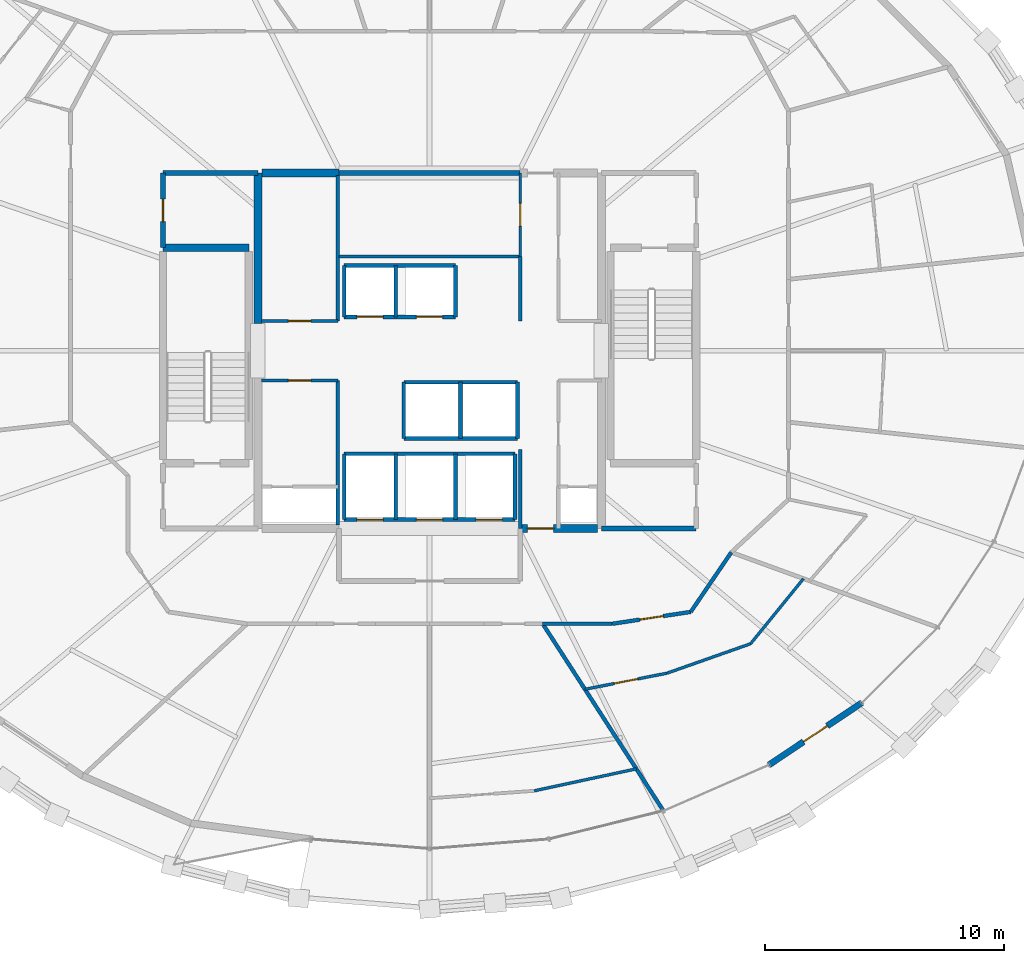
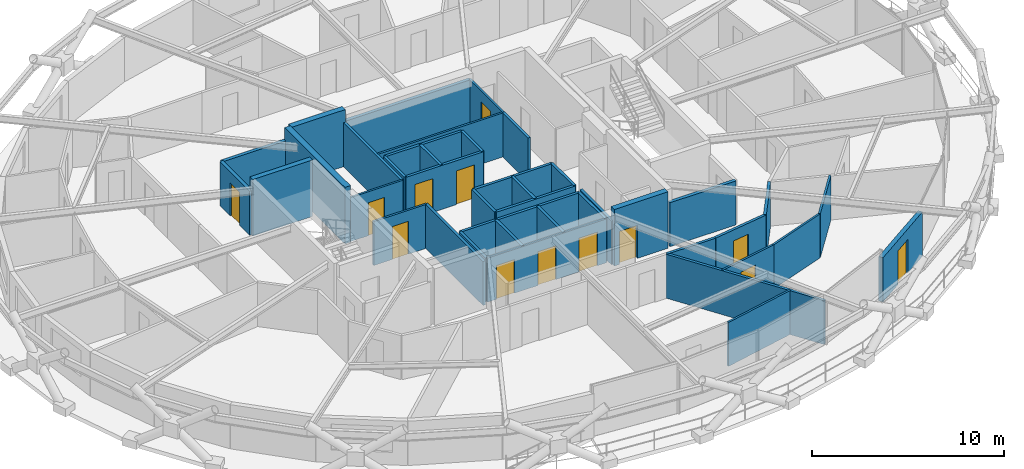
# One storey, part 15 of 19: 41 walls, 13 doors, 13 openings.
"""IFC4 building model written with IfcOpenShell, lengths in metres."""

from ifc_helpers import new_model, si_unit, direction, frame, frame_2d, origin, place, context, subcontext, project, spatial, rectangle, extrude, material, layer, layer_set, type_object, element, fill, save


model = new_model("IFC4")

# Units and contexts
model_context = context("Model", 3, precision=1e-05, world=origin(), true_north=direction((0.0, 1.0)))
body_context = subcontext(model_context, "Body", "Model", "MODEL_VIEW")
ifc_project = project(units=[si_unit("LENGTHUNIT", "METRE"), si_unit("AREAUNIT", "SQUARE_METRE"), si_unit("VOLUMEUNIT", "CUBIC_METRE"), si_unit("PLANEANGLEUNIT", "RADIAN"), si_unit("MASSUNIT", "GRAM", prefix="KILO")], contexts=[model_context])

# Site, building, storey
site_placement = place(None, origin())
site = spatial("IfcSite", under=ifc_project, at=site_placement, CompositionType="ELEMENT")
building_placement = place(site_placement, origin())
building = spatial("IfcBuilding", under=site, at=building_placement, Name="Veldorina Hangang Commons", CompositionType="ELEMENT")
storey_placement = place(building_placement, frame((0.0, 0.0, 164.0)))
storey = spatial("IfcBuildingStorey", under=building, at=storey_placement, Name="L42", CompositionType="ELEMENT", Elevation=164.0)

# Wall
ifc_material_1 = material(Name="Concrete C60/75", Category="concrete")
ifc_layer_1 = layer(ifc_material_1, 0.340087890625)
ifc_layer_set_1 = layer_set([ifc_layer_1], Name="Concrete C60/75")
wall_type_1 = type_object("IfcWallType", Name="CW-RC340-C60", PredefinedType="SHEAR", material=ifc_layer_set_1)
wall_1_placement = place(storey_placement, frame((24.800048828125, 25.14990234375, 0.0), z_axis=(0.0, 0.0, 1.0), x_axis=(0.0, 1.0, 0.0)))
element("IfcWall", 1, at=wall_1_placement, inside=storey, type_object=wall_type_1, Name="L42 W north core shear wall", PredefinedType="SHEAR", context=body_context, shape_type="SweptSolid", body=[
    extrude(rectangle(XDim=6.300048828125, YDim=0.340087890625, at=frame_2d((3.14990234375, 0.0))), origin(), (0.0, 0.0, 1.0), 3.60009765625),
])

# Wall, opening, door
wall_2_placement = place(storey_placement, frame((35.800048828125, 16.550048828125, 0.0), z_axis=(0.0, 0.0, 1.0), x_axis=(1.0, 0.0, 0.0)))
wall_2 = element("IfcWall", 2, at=wall_2_placement, inside=storey, type_object=wall_type_1, Name="L42 south-east core shear wall", PredefinedType="SHEAR", context=body_context, shape_type="SweptSolid", body=[
    extrude(rectangle(XDim=3.22998046875, YDim=0.340087890625, at=frame_2d((1.614990234375, 0.0))), origin(), (0.0, 0.0, 1.0), 3.60009765625),
])
opening_1_placement = place(wall_2_placement, frame((0.300048828125, 0.0, 0.0)))
opening_1 = element("IfcOpeningElement", 3, at=opening_1_placement, cuts=wall_2, Name="Opening D-08", PredefinedType="OPENING", context=body_context, shape_type="SweptSolid", body=[
    extrude(rectangle(XDim=1.10009765625, YDim=2.10009765625, at=frame_2d((0.550048828125, 1.050048828125))), frame((0.0, 0.18017578125, 0.0), z_axis=(0.0, -1.0, 0.0), x_axis=(1.0, 0.0, 0.0)), (0.0, 0.0, 1.0), 0.360107421875),
])
ifc_material_2 = material(Name="Steel Fire-Rated Smoke Seal", Category="steel")
door_type_1 = type_object("IfcDoorType", Name="DR-FIRE-1100", OperationType="SINGLE_SWING_RIGHT", PredefinedType="DOOR", material=ifc_material_2)
door_1_placement = place(opening_1_placement, origin())
door_1 = element("IfcDoor", 4, at=door_1_placement, inside=storey, type_object=door_type_1, Name="L42 central lift lobby south corridor door", OperationType="SINGLE_SWING_RIGHT", OverallHeight=2.10009765625, OverallWidth=1.10009765625, PredefinedType="DOOR", context=body_context, shape_type="SweptSolid", body=[
    extrude(rectangle(XDim=1.10009765625, YDim=2.10009765625, at=frame_2d((0.550048828125, 1.050048828125))), frame((0.0, 0.02490234375, 0.0), z_axis=(0.0, -1.0, 0.0), x_axis=(1.0, 0.0, 0.0)), (0.0, 0.0, 1.0), 0.050048828125),
])
fill(opening_1, door_1)

# Wall
wall_3_placement = place(storey_placement, frame((24.969970703125, 31.449951171875, 0.0), z_axis=(0.0, 0.0, 1.0), x_axis=(1.0, 0.0, 0.0)))
element("IfcWall", 5, at=wall_3_placement, inside=storey, type_object=wall_type_1, Name="L42 north-west core shear wall", PredefinedType="SHEAR", context=body_context, shape_type="SweptSolid", body=[
    extrude(rectangle(XDim=3.22998046875, YDim=0.340087890625, at=frame_2d((1.614990234375, 0.0))), origin(), (0.0, 0.0, 1.0), 3.60009765625),
])

# Wall, opening, door
ifc_material_3 = material(Name="Stone Roman Travertine", Category="masonry")
ifc_layer_2 = layer(ifc_material_3, 0.260009765625)
ifc_layer_set_2 = layer_set([ifc_layer_2], Name="Stone Roman Travertine")
wall_type_2 = type_object("IfcWallType", Name="EW-LOGGIA-260", PredefinedType="STANDARD", material=ifc_layer_set_2)
wall_4_placement = place(storey_placement, frame((46.23486328125, 6.639404296875, 0.0), z_axis=(0.0, 0.0, 1.0), x_axis=(0.831245321174, 0.555905761821, 0.0)))
wall_4 = element("IfcWall", 6, at=wall_4_placement, inside=storey, type_object=wall_type_2, Name="L42 sky-garden loggia portal wall 27", PredefinedType="STANDARD", context=body_context, shape_type="SweptSolid", body=[
    extrude(rectangle(XDim=4.671142578125, YDim=0.260009765625, at=frame_2d((2.33544921875, 0.0))), origin(), (0.0, 0.0, 1.0), 2.820068359375),
])
opening_2_placement = place(wall_4_placement, frame((1.735595703125, 0.0, 0.0)))
opening_2 = element("IfcOpeningElement", 7, at=opening_2_placement, cuts=wall_4, Name="Opening BD-1200", PredefinedType="OPENING", context=body_context, shape_type="SweptSolid", body=[
    extrude(rectangle(XDim=1.199951171875, YDim=2.14990234375, at=frame_2d((0.60009765625, 1.074951171875))), frame((0.0, 0.14013671875, 0.0), z_axis=(0.0, -1.0, 0.0), x_axis=(1.0, 0.0, 0.0)), (0.0, 0.0, 1.0), 0.280029296875),
])
ifc_material_4 = material(Name="Glass Thermal Aluminium Frame", Category="aluminium")
door_type_2 = type_object("IfcDoorType", Name="DR-EXT-LOG1200", OperationType="SINGLE_SWING_LEFT", PredefinedType="DOOR", material=ifc_material_4)
door_2_placement = place(opening_2_placement, origin())
door_2 = element("IfcDoor", 8, at=door_2_placement, inside=storey, type_object=door_type_2, Name="L42 loggia glazed exterior door 27", OperationType="SINGLE_SWING_RIGHT", OverallHeight=2.14990234375, OverallWidth=1.199951171875, PredefinedType="DOOR", context=body_context, shape_type="SweptSolid", body=[
    extrude(rectangle(XDim=1.199951171875, YDim=2.14990234375, at=frame_2d((0.60009765625, 1.074951171875))), frame((0.0, 0.02490234375, 0.0), z_axis=(0.0, -1.0, 0.0), x_axis=(1.0, 0.0, 0.0)), (0.0, 0.0, 1.0), 0.050048828125),
])
fill(opening_2, door_2)

# Walls
ifc_material_5 = material(Name="Concrete C50/60", Category="concrete")
ifc_layer_3 = layer(ifc_material_5, 0.300048828125)
ifc_layer_set_3 = layer_set([ifc_layer_3], Name="Concrete C50/60")
wall_type_3 = type_object("IfcWallType", Name="SW-STAIR-300", PredefinedType="SHEAR", material=ifc_layer_set_3)
wall_5_placement = place(storey_placement, frame((20.820068359375, 28.320068359375, 0.0), z_axis=(0.0, 0.0, 1.0), x_axis=(1.0, 0.0, 0.0)))
element("IfcWall", 9, at=wall_5_placement, inside=storey, type_object=wall_type_3, Name="L42 ST1 north stair shear wall", PredefinedType="SHEAR", context=body_context, shape_type="SweptSolid", body=[
    extrude(rectangle(XDim=3.599853515625, YDim=0.300048828125, at=frame_2d((1.7998046875, 0.0))), origin(), (0.0, 0.0, 1.0), 3.60009765625),
])
ifc_material_6 = material(Name="Gypsum Fire-Rated Twin Stud Wall", Category="gypsum")
ifc_layer_4 = layer(ifc_material_6, 0.159912109375)
ifc_layer_set_4 = layer_set([ifc_layer_4], Name="Gypsum Fire-Rated Twin Stud Wall")
wall_type_4 = type_object("IfcWallType", Name="WL-FIRE-160", PredefinedType="SOLIDWALL", material=ifc_layer_set_4)
wall_6_placement = place(storey_placement, frame((35.800048828125, 16.550048828125, 0.0), z_axis=(0.0, 0.0, 1.0), x_axis=(0.0, 1.0, 0.0)))
element("IfcWall", 10, at=wall_6_placement, inside=storey, type_object=wall_type_4, Name="L42 Lift passage SW wall 009", PredefinedType="SOLIDWALL", context=body_context, shape_type="SweptSolid", body=[
    extrude(rectangle(XDim=3.300048828125, YDim=0.159912109375, at=frame_2d((1.64990234375, 0.0))), origin(), (0.0, 0.0, 1.0), 2.800048828125),
])
wall_7_placement = place(storey_placement, frame((35.800048828125, 25.25, 0.0), z_axis=(0.0, 0.0, 1.0), x_axis=(0.0, 1.0, 0.0)))
element("IfcWall", 11, at=wall_7_placement, inside=storey, type_object=wall_type_4, Name="L42 Lift passage NW lower wall 011", PredefinedType="SOLIDWALL", context=body_context, shape_type="SweptSolid", body=[
    extrude(rectangle(XDim=2.699951171875, YDim=0.159912109375, at=frame_2d((1.35009765625, 0.0))), origin(), (0.0, 0.0, 1.0), 2.800048828125),
])

# Wall, openings, doors
wall_8_placement = place(storey_placement, frame((28.419921875, 25.419921875, 0.0), z_axis=(0.0, 0.0, 1.0), x_axis=(1.0, 0.0, 0.0)))
wall_8 = element("IfcWall", 12, at=wall_8_placement, inside=storey, type_object=wall_type_4, Name="L42 Mid-high front shaft wall 015", PredefinedType="SOLIDWALL", context=body_context, shape_type="SweptSolid", body=[
    extrude(rectangle(XDim=4.66015625, YDim=0.159912109375, at=frame_2d((2.330078125, 0.0))), origin(), (0.0, 0.0, 1.0), 2.800048828125),
])
opening_3_placement = place(wall_8_placement, frame((0.530029296875, 0.0, 0.0)))
opening_3 = element("IfcOpeningElement", 13, at=opening_3_placement, cuts=wall_8, Name="Opening LD-01", PredefinedType="OPENING", context=body_context, shape_type="SweptSolid", body=[
    extrude(rectangle(XDim=1.10009765625, YDim=2.14990234375, at=frame_2d((0.550048828125, 1.074951171875))), frame((0.0, 0.08984375, 0.0), z_axis=(0.0, -1.0, 0.0), x_axis=(1.0, 0.0, 0.0)), (0.0, 0.0, 1.0), 0.179931640625),
])
opening_4_placement = place(wall_8_placement, frame((3.030029296875, 0.0, 0.0)))
opening_4 = element("IfcOpeningElement", 14, at=opening_4_placement, cuts=wall_8, Name="Opening LD-01", PredefinedType="OPENING", context=body_context, shape_type="SweptSolid", body=[
    extrude(rectangle(XDim=1.10009765625, YDim=2.14990234375, at=frame_2d((0.550048828125, 1.074951171875))), frame((0.0, 0.08984375, 0.0), z_axis=(0.0, -1.0, 0.0), x_axis=(1.0, 0.0, 0.0)), (0.0, 0.0, 1.0), 0.179931640625),
])
ifc_material_7 = material(Name="Stainless Steel Brushed Lift Door", Category="steel")
door_type_3 = type_object("IfcDoorType", Name="DR-LIFT-1100", OperationType="SLIDING_TO_LEFT", PredefinedType="DOOR", material=ifc_material_7)
door_3_placement = place(opening_3_placement, origin())
door_3 = element("IfcDoor", 15, at=door_3_placement, inside=storey, type_object=door_type_3, Name="L42 Lift PL-M1 landing door 006", OperationType="SLIDING_TO_RIGHT", OverallHeight=2.14990234375, OverallWidth=1.10009765625, PredefinedType="DOOR", context=body_context, shape_type="SweptSolid", body=[
    extrude(rectangle(XDim=1.10009765625, YDim=2.14990234375, at=frame_2d((0.550048828125, 1.074951171875))), frame((0.0, 0.02490234375, 0.0), z_axis=(0.0, -1.0, 0.0), x_axis=(1.0, 0.0, 0.0)), (0.0, 0.0, 1.0), 0.050048828125),
])
fill(opening_3, door_3)
door_4_placement = place(opening_4_placement, origin())
door_4 = element("IfcDoor", 16, at=door_4_placement, inside=storey, type_object=door_type_3, Name="L42 Lift PL-M2 landing door 007", OperationType="SLIDING_TO_RIGHT", OverallHeight=2.14990234375, OverallWidth=1.10009765625, PredefinedType="DOOR", context=body_context, shape_type="SweptSolid", body=[
    extrude(rectangle(XDim=1.10009765625, YDim=2.14990234375, at=frame_2d((0.550048828125, 1.074951171875))), frame((0.0, 0.02490234375, 0.0), z_axis=(0.0, -1.0, 0.0), x_axis=(1.0, 0.0, 0.0)), (0.0, 0.0, 1.0), 0.050048828125),
])
fill(opening_4, door_4)

# Walls
wall_9_placement = place(storey_placement, frame((28.419921875, 27.580078125, 0.0), z_axis=(0.0, 0.0, 1.0), x_axis=(1.0, 0.0, 0.0)))
element("IfcWall", 17, at=wall_9_placement, inside=storey, type_object=wall_type_4, Name="L42 Mid-high rear shaft wall 016", PredefinedType="SOLIDWALL", context=body_context, shape_type="SweptSolid", body=[
    extrude(rectangle(XDim=4.66015625, YDim=0.159912109375, at=frame_2d((2.330078125, 0.0))), origin(), (0.0, 0.0, 1.0), 2.800048828125),
])
for number, where, z_axis, x_axis, name in (
    (18, (28.419921875, 25.419921875, 0.0), (0.0, 0.0, 1.0), (0.0, 1.0, 0.0), "L42 PL-M1 west shaft wall 017"),
    (19, (30.580078125, 25.419921875, 0.0), (0.0, 0.0, 1.0), (0.0, 1.0, 0.0), "L42 PL-M1 east shaft wall 018"),
    (20, (33.080078125, 25.419921875, 0.0), (0.0, 0.0, 1.0), (0.0, 1.0, 0.0), "L42 PL-M2 east shaft wall 019"),
):
    element("IfcWall", number, at=place(storey_placement, frame(where, z_axis=z_axis, x_axis=x_axis)), inside=storey, type_object=wall_type_4, Name=name, PredefinedType="SOLIDWALL", context=body_context, shape_type="SweptSolid", body=[
        extrude(rectangle(XDim=2.16015625, YDim=0.159912109375, at=frame_2d((1.080078125, 0.0))), origin(), (0.0, 0.0, 1.0), 2.800048828125),
    ])
for number, where, z_axis, x_axis, name in (
    (21, (30.919921875, 22.679931640625, 0.0), (0.0, 0.0, 1.0), (1.0, 0.0, 0.0), "L42 Shuttle-high front shaft wall 020"),
    (22, (30.919921875, 20.320068359375, 0.0), (0.0, 0.0, 1.0), (1.0, 0.0, 0.0), "L42 Shuttle-high rear shaft wall 021"),
):
    element("IfcWall", number, at=place(storey_placement, frame(where, z_axis=z_axis, x_axis=x_axis)), inside=storey, type_object=wall_type_4, Name=name, PredefinedType="SOLIDWALL", context=body_context, shape_type="SweptSolid", body=[
        extrude(rectangle(XDim=4.760009765625, YDim=0.159912109375, at=frame_2d((2.3798828125, 0.0))), origin(), (0.0, 0.0, 1.0), 2.800048828125),
    ])
for number, where, z_axis, x_axis, name in (
    (23, (30.919921875, 20.320068359375, 0.0), (0.0, 0.0, 1.0), (0.0, 1.0, 0.0), "L42 SL-1 west shaft wall 022"),
    (24, (33.300048828125, 20.320068359375, 0.0), (0.0, 0.0, 1.0), (0.0, 1.0, 0.0), "L42 SL-1 east shaft wall 023"),
    (25, (35.679931640625, 20.320068359375, 0.0), (0.0, 0.0, 1.0), (0.0, 1.0, 0.0), "L42 SL-2 east shaft wall 024"),
):
    element("IfcWall", number, at=place(storey_placement, frame(where, z_axis=z_axis, x_axis=x_axis)), inside=storey, type_object=wall_type_4, Name=name, PredefinedType="SOLIDWALL", context=body_context, shape_type="SweptSolid", body=[
        extrude(rectangle(XDim=2.35986328125, YDim=0.159912109375, at=frame_2d((1.179931640625, 0.0))), origin(), (0.0, 0.0, 1.0), 2.800048828125),
    ])

# Wall, openings, doors
wall_10_placement = place(storey_placement, frame((28.419921875, 16.919921875, 0.0), z_axis=(0.0, 0.0, 1.0), x_axis=(1.0, 0.0, 0.0)))
wall_10 = element("IfcWall", 26, at=wall_10_placement, inside=storey, type_object=wall_type_4, Name="L42 Emergency front shaft wall 025", PredefinedType="SOLIDWALL", context=body_context, shape_type="SweptSolid", body=[
    extrude(rectangle(XDim=7.16015625, YDim=0.159912109375, at=frame_2d((3.580078125, 0.0))), origin(), (0.0, 0.0, 1.0), 2.800048828125),
])
opening_5_placement = place(wall_10_placement, frame((0.530029296875, 0.0, 0.0)))
opening_5 = element("IfcOpeningElement", 27, at=opening_5_placement, cuts=wall_10, Name="Opening LD-03", PredefinedType="OPENING", context=body_context, shape_type="SweptSolid", body=[
    extrude(rectangle(XDim=1.10009765625, YDim=2.14990234375, at=frame_2d((0.550048828125, 1.074951171875))), frame((0.0, 0.08984375, 0.0), z_axis=(0.0, -1.0, 0.0), x_axis=(1.0, 0.0, 0.0)), (0.0, 0.0, 1.0), 0.179931640625),
])
opening_6_placement = place(wall_10_placement, frame((3.030029296875, 0.0, 0.0)))
opening_6 = element("IfcOpeningElement", 28, at=opening_6_placement, cuts=wall_10, Name="Opening LD-03", PredefinedType="OPENING", context=body_context, shape_type="SweptSolid", body=[
    extrude(rectangle(XDim=1.10009765625, YDim=2.14990234375, at=frame_2d((0.550048828125, 1.074951171875))), frame((0.0, 0.08984375, 0.0), z_axis=(0.0, -1.0, 0.0), x_axis=(1.0, 0.0, 0.0)), (0.0, 0.0, 1.0), 0.179931640625),
])
opening_7_placement = place(wall_10_placement, frame((5.530029296875, 0.0, 0.0)))
opening_7 = element("IfcOpeningElement", 29, at=opening_7_placement, cuts=wall_10, Name="Opening LD-03", PredefinedType="OPENING", context=body_context, shape_type="SweptSolid", body=[
    extrude(rectangle(XDim=1.10009765625, YDim=2.14990234375, at=frame_2d((0.550048828125, 1.074951171875))), frame((0.0, 0.08984375, 0.0), z_axis=(0.0, -1.0, 0.0), x_axis=(1.0, 0.0, 0.0)), (0.0, 0.0, 1.0), 0.179931640625),
])
ifc_material_8 = material(Name="Stainless Steel Firefighting Lift Door", Category="steel")
door_type_4 = type_object("IfcDoorType", Name="DR-LIFT-FF1100", OperationType="SLIDING_TO_RIGHT", PredefinedType="DOOR", material=ifc_material_8)
door_5_placement = place(opening_5_placement, origin())
door_5 = element("IfcDoor", 30, at=door_5_placement, inside=storey, type_object=door_type_4, Name="L42 Emergency lift FFL-1 landing door 008", OperationType="SLIDING_TO_RIGHT", OverallHeight=2.14990234375, OverallWidth=1.10009765625, PredefinedType="DOOR", context=body_context, shape_type="SweptSolid", body=[
    extrude(rectangle(XDim=1.10009765625, YDim=2.14990234375, at=frame_2d((0.550048828125, 1.074951171875))), frame((0.0, 0.02490234375, 0.0), z_axis=(0.0, -1.0, 0.0), x_axis=(1.0, 0.0, 0.0)), (0.0, 0.0, 1.0), 0.050048828125),
])
fill(opening_5, door_5)
door_6_placement = place(opening_6_placement, origin())
door_6 = element("IfcDoor", 31, at=door_6_placement, inside=storey, type_object=door_type_4, Name="L42 Emergency lift FFL-2 landing door 009", OperationType="SLIDING_TO_RIGHT", OverallHeight=2.14990234375, OverallWidth=1.10009765625, PredefinedType="DOOR", context=body_context, shape_type="SweptSolid", body=[
    extrude(rectangle(XDim=1.10009765625, YDim=2.14990234375, at=frame_2d((0.550048828125, 1.074951171875))), frame((0.0, 0.02490234375, 0.0), z_axis=(0.0, -1.0, 0.0), x_axis=(1.0, 0.0, 0.0)), (0.0, 0.0, 1.0), 0.050048828125),
])
fill(opening_6, door_6)
door_7_placement = place(opening_7_placement, origin())
door_7 = element("IfcDoor", 32, at=door_7_placement, inside=storey, type_object=door_type_4, Name="L42 Emergency lift EVL-1 landing door 010", OperationType="SLIDING_TO_RIGHT", OverallHeight=2.14990234375, OverallWidth=1.10009765625, PredefinedType="DOOR", context=body_context, shape_type="SweptSolid", body=[
    extrude(rectangle(XDim=1.10009765625, YDim=2.14990234375, at=frame_2d((0.550048828125, 1.074951171875))), frame((0.0, 0.02490234375, 0.0), z_axis=(0.0, -1.0, 0.0), x_axis=(1.0, 0.0, 0.0)), (0.0, 0.0, 1.0), 0.050048828125),
])
fill(opening_7, door_7)

# Walls
wall_11_placement = place(storey_placement, frame((28.419921875, 19.679931640625, 0.0), z_axis=(0.0, 0.0, 1.0), x_axis=(1.0, 0.0, 0.0)))
element("IfcWall", 33, at=wall_11_placement, inside=storey, type_object=wall_type_4, Name="L42 Emergency rear shaft wall 026", PredefinedType="SOLIDWALL", context=body_context, shape_type="SweptSolid", body=[
    extrude(rectangle(XDim=7.16015625, YDim=0.159912109375, at=frame_2d((3.580078125, 0.0))), origin(), (0.0, 0.0, 1.0), 2.800048828125),
])
for number, where, z_axis, x_axis, name in (
    (34, (28.419921875, 16.919921875, 0.0), (0.0, 0.0, 1.0), (0.0, 1.0, 0.0), "L42 FFL-1 west shaft wall 027"),
    (35, (30.580078125, 16.919921875, 0.0), (0.0, 0.0, 1.0), (0.0, 1.0, 0.0), "L42 FFL-1 east shaft wall 028"),
    (36, (33.080078125, 16.919921875, 0.0), (0.0, 0.0, 1.0), (0.0, 1.0, 0.0), "L42 FFL-2 east shaft wall 029"),
    (37, (35.580078125, 16.919921875, 0.0), (0.0, 0.0, 1.0), (0.0, 1.0, 0.0), "L42 EVL-1 east shaft wall 030"),
):
    element("IfcWall", number, at=place(storey_placement, frame(where, z_axis=z_axis, x_axis=x_axis)), inside=storey, type_object=wall_type_4, Name=name, PredefinedType="SOLIDWALL", context=body_context, shape_type="SweptSolid", body=[
        extrude(rectangle(XDim=2.760009765625, YDim=0.159912109375, at=frame_2d((1.3798828125, 0.0))), origin(), (0.0, 0.0, 1.0), 2.800048828125),
    ])
wall_12_placement = place(storey_placement, frame((28.14990234375, 16.699951171875, 0.0), z_axis=(0.0, 0.0, 1.0), x_axis=(0.0, 1.0, 0.0)))
element("IfcWall", 38, at=wall_12_placement, inside=storey, type_object=wall_type_4, Name="L42 SW core inner wall 035", PredefinedType="SOLIDWALL", context=body_context, shape_type="SweptSolid", body=[
    extrude(rectangle(XDim=6.050048828125, YDim=0.159912109375, at=frame_2d((3.02490234375, 0.0))), origin(), (0.0, 0.0, 1.0), 2.800048828125),
])
wall_13_placement = place(storey_placement, frame((28.14990234375, 25.25, 0.0), z_axis=(0.0, 0.0, 1.0), x_axis=(0.0, 1.0, 0.0)))
element("IfcWall", 39, at=wall_13_placement, inside=storey, type_object=wall_type_4, Name="L42 NW core inner wall 037", PredefinedType="SOLIDWALL", context=body_context, shape_type="SweptSolid", body=[
    extrude(rectangle(XDim=6.10009765625, YDim=0.159912109375, at=frame_2d((3.050048828125, 0.0))), origin(), (0.0, 0.0, 1.0), 2.800048828125),
])
wall_14_placement = place(storey_placement, frame((36.74267578125, 12.550048828125, 0.0), z_axis=(0.0, 0.0, 1.0), x_axis=(1.0, 0.0, 0.0)))
element("IfcWall", 40, at=wall_14_placement, inside=storey, type_object=wall_type_4, Name="L42 U-corridor outer wall 26 070", PredefinedType="SOLIDWALL", context=body_context, shape_type="SweptSolid", body=[
    extrude(rectangle(XDim=2.907958984375, YDim=0.159912109375, at=frame_2d((1.4541015625, 0.0))), origin(), (0.0, 0.0, 1.0), 2.800048828125),
])

# Wall, opening, door
wall_15_placement = place(storey_placement, frame((39.650634765625, 12.550048828125, 0.0), z_axis=(0.0, 0.0, 1.0), x_axis=(0.988710906508, 0.149835721217, 0.0)))
wall_15 = element("IfcWall", 41, at=wall_15_placement, inside=storey, type_object=wall_type_4, Name="L42 U-corridor outer wall 27 071", PredefinedType="SOLIDWALL", context=body_context, shape_type="SweptSolid", body=[
    extrude(rectangle(XDim=3.3369140625, YDim=0.159912109375, at=frame_2d((1.66845703125, 0.0))), origin(), (0.0, 0.0, 1.0), 2.800048828125),
])
opening_8_placement = place(wall_15_placement, frame((1.16845703125, 0.0, 0.0)))
opening_8 = element("IfcOpeningElement", 42, at=opening_8_placement, cuts=wall_15, Name="Opening D-05", PredefinedType="OPENING", context=body_context, shape_type="SweptSolid", body=[
    extrude(rectangle(XDim=1.0, YDim=2.10009765625, at=frame_2d((0.5, 1.050048828125))), frame((0.0, 0.08984375, 0.0), z_axis=(0.0, -1.0, 0.0), x_axis=(1.0, 0.0, 0.0)), (0.0, 0.0, 1.0), 0.179931640625),
])
ifc_material_9 = material(Name="Timber Solid Core Acoustic", Category="wood")
door_type_5 = type_object("IfcDoorType", Name="DR-INT-1000", OperationType="SINGLE_SWING_RIGHT", PredefinedType="DOOR", material=ifc_material_9)
door_8_placement = place(opening_8_placement, origin())
door_8 = element("IfcDoor", 43, at=door_8_placement, inside=storey, type_object=door_type_5, Name="L42 Commons alcove door 018", OperationType="SINGLE_SWING_RIGHT", OverallHeight=2.10009765625, OverallWidth=1.0, PredefinedType="DOOR", context=body_context, shape_type="SweptSolid", body=[
    extrude(rectangle(XDim=1.0, YDim=2.10009765625, at=frame_2d((0.5, 1.050048828125))), frame((0.0, 0.02490234375, 0.0), z_axis=(0.0, -1.0, 0.0), x_axis=(1.0, 0.0, 0.0)), (0.0, 0.0, 1.0), 0.050048828125),
])
fill(opening_8, door_8)

# Walls
wall_16_placement = place(storey_placement, frame((42.949951171875, 13.050048828125, 0.0), z_axis=(0.0, 0.0, 1.0), x_axis=(0.562674669208, 0.826678423955, 0.0)))
element("IfcWall", 44, at=wall_16_placement, inside=storey, type_object=wall_type_4, Name="L42 U-corridor outer wall 28 072", PredefinedType="SOLIDWALL", context=body_context, shape_type="SweptSolid", body=[
    extrude(rectangle(XDim=3.021240234375, YDim=0.159912109375, at=frame_2d((1.5107421875, 0.0))), origin(), (0.0, 0.0, 1.0), 2.800048828125),
])
wall_17_placement = place(storey_placement, frame((36.74267578125, 12.550048828125, 0.0), z_axis=(0.0, 0.0, 1.0), x_axis=(0.542459310628, -0.840082077129, 0.0)))
element("IfcWall", 45, at=wall_17_placement, inside=storey, type_object=wall_type_4, Name="L42 Unit party wall 26 076", PredefinedType="SOLIDWALL", context=body_context, shape_type="SweptSolid", body=[
    extrude(rectangle(XDim=9.282470703125, YDim=0.159912109375, at=frame_2d((4.64111328125, 0.0))), origin(), (0.0, 0.0, 1.0), 2.800048828125),
])

# Wall, opening, door
ifc_material_10 = material(Name="Concrete Blockwork Fire Wall C30/37", Category="masonry")
ifc_layer_5 = layer(ifc_material_10, 0.199951171875)
ifc_layer_set_5 = layer_set([ifc_layer_5], Name="Concrete Blockwork Fire Wall C30/37")
wall_type_5 = type_object("IfcWallType", Name="WL-FIRE-200", PredefinedType="SOLIDWALL", material=ifc_layer_set_5)
wall_18_placement = place(storey_placement, frame((20.820068359375, 28.320068359375, 0.0), z_axis=(0.0, 0.0, 1.0), x_axis=(0.0, 1.0, 0.0)))
wall_18 = element("IfcWall", 46, at=wall_18_placement, inside=storey, type_object=wall_type_5, Name="L42 NW core room outer wall 005", PredefinedType="SOLIDWALL", context=body_context, shape_type="SweptSolid", body=[
    extrude(rectangle(XDim=3.1298828125, YDim=0.199951171875, at=frame_2d((1.56494140625, 0.0))), origin(), (0.0, 0.0, 1.0), 2.800048828125),
])
opening_9_placement = place(wall_18_placement, frame((1.090087890625, 0.0, 0.0)))
opening_9 = element("IfcOpeningElement", 47, at=opening_9_placement, cuts=wall_18, Name="Opening D-04", PredefinedType="OPENING", context=body_context, shape_type="SweptSolid", body=[
    extrude(rectangle(XDim=0.949951171875, YDim=2.10009765625, at=frame_2d((0.47509765625, 1.050048828125))), frame((0.0, 0.10986328125, 0.0), z_axis=(0.0, -1.0, 0.0), x_axis=(1.0, 0.0, 0.0)), (0.0, 0.0, 1.0), 0.219970703125),
])
ifc_material_11 = material(Name="Timber Accessible Flush Leaf", Category="wood")
door_type_6 = type_object("IfcDoorType", Name="DR-ACC-950", OperationType="SINGLE_SWING_LEFT", PredefinedType="DOOR", material=ifc_material_11)
door_9_placement = place(opening_9_placement, origin())
door_9 = element("IfcDoor", 48, at=door_9_placement, inside=storey, type_object=door_type_6, Name="L42 NW core WC door 003", OperationType="SINGLE_SWING_LEFT", OverallHeight=2.10009765625, OverallWidth=0.949951171875, PredefinedType="DOOR", context=body_context, shape_type="SweptSolid", body=[
    extrude(rectangle(XDim=0.949951171875, YDim=2.10009765625, at=frame_2d((0.47509765625, 1.050048828125))), frame((0.0, 0.02490234375, 0.0), z_axis=(0.0, -1.0, 0.0), x_axis=(1.0, 0.0, 0.0)), (0.0, 0.0, 1.0), 0.050048828125),
])
fill(opening_9, door_9)

# Walls
for number, where, z_axis, x_axis, name in (
    (49, (20.820068359375, 31.449951171875, 0.0), (0.0, 0.0, 1.0), (1.0, 0.0, 0.0), "L42 NW core room north wall 006"),
    (50, (39.199951171875, 16.550048828125, 0.0), (0.0, 0.0, 1.0), (1.0, 0.0, 0.0), "L42 SE core room south wall 008"),
):
    element("IfcWall", number, at=place(storey_placement, frame(where, z_axis=z_axis, x_axis=x_axis)), inside=storey, type_object=wall_type_5, Name=name, PredefinedType="SOLIDWALL", context=body_context, shape_type="SweptSolid", body=[
        extrude(rectangle(XDim=3.97998046875, YDim=0.199951171875, at=frame_2d((1.989990234375, 0.0))), origin(), (0.0, 0.0, 1.0), 2.800048828125),
    ])
wall_19_placement = place(storey_placement, frame((28.199951171875, 31.449951171875, 0.0), z_axis=(0.0, 0.0, 1.0), x_axis=(1.0, 0.0, 0.0)))
element("IfcWall", 51, at=wall_19_placement, inside=storey, type_object=wall_type_5, Name="L42 Merged north core wall 031", PredefinedType="SOLIDWALL", context=body_context, shape_type="SweptSolid", body=[
    extrude(rectangle(XDim=7.60009765625, YDim=0.199951171875, at=frame_2d((3.800048828125, 0.0))), origin(), (0.0, 0.0, 1.0), 2.800048828125),
])
ifc_material_12 = material(Name="Gypsum Acoustic Stud Partition", Category="gypsum")
ifc_layer_6 = layer(ifc_material_12, 0.1201171875)
ifc_layer_set_6 = layer_set([ifc_layer_6], Name="Gypsum Acoustic Stud Partition")
wall_type_6 = type_object("IfcWallType", Name="WL-PART-120", PredefinedType="PARTITIONING", material=ifc_layer_set_6)
wall_20_placement = place(storey_placement, frame((28.199951171875, 27.949951171875, 0.0), z_axis=(0.0, 0.0, 1.0), x_axis=(1.0, 0.0, 0.0)))
element("IfcWall", 52, at=wall_20_placement, inside=storey, type_object=wall_type_6, Name="L42 Merged north south wall 032", PredefinedType="PARTITIONING", context=body_context, shape_type="SweptSolid", body=[
    extrude(rectangle(XDim=7.60009765625, YDim=0.1201171875, at=frame_2d((3.800048828125, 0.0))), origin(), (0.0, 0.0, 1.0), 2.800048828125),
])

# Wall, opening, door
wall_21_placement = place(storey_placement, frame((35.800048828125, 27.949951171875, 0.0), z_axis=(0.0, 0.0, 1.0), x_axis=(0.0, 1.0, 0.0)))
wall_21 = element("IfcWall", 53, at=wall_21_placement, inside=storey, type_object=wall_type_6, Name="L42 Merged north east wall 033", PredefinedType="PARTITIONING", context=body_context, shape_type="SweptSolid", body=[
    extrude(rectangle(XDim=3.5, YDim=0.1201171875, at=frame_2d((1.75, 0.0))), origin(), (0.0, 0.0, 1.0), 2.800048828125),
])
opening_10_placement = place(wall_21_placement, frame((1.27490234375, 0.0, 0.0)))
opening_10 = element("IfcOpeningElement", 54, at=opening_10_placement, cuts=wall_21, Name="Opening D-02", PredefinedType="OPENING", context=body_context, shape_type="SweptSolid", body=[
    extrude(rectangle(XDim=0.949951171875, YDim=2.10009765625, at=frame_2d((0.47509765625, 1.050048828125))), frame((0.0, 0.070068359375, 0.0), z_axis=(0.0, -1.0, 0.0), x_axis=(1.0, 0.0, 0.0)), (0.0, 0.0, 1.0), 0.14013671875),
])
door_type_7 = type_object("IfcDoorType", Name="DR-INT-950", OperationType="SINGLE_SWING_LEFT", PredefinedType="DOOR", material=ifc_material_9)
door_10_placement = place(opening_10_placement, origin())
door_10 = element("IfcDoor", 55, at=door_10_placement, inside=storey, type_object=door_type_7, Name="L42 Merged north room lobby door 011", OperationType="SINGLE_SWING_LEFT", OverallHeight=2.10009765625, OverallWidth=0.949951171875, PredefinedType="DOOR", context=body_context, shape_type="SweptSolid", body=[
    extrude(rectangle(XDim=0.949951171875, YDim=2.10009765625, at=frame_2d((0.47509765625, 1.050048828125))), frame((0.0, 0.02490234375, 0.0), z_axis=(0.0, -1.0, 0.0), x_axis=(1.0, 0.0, 0.0)), (0.0, 0.0, 1.0), 0.050048828125),
])
fill(opening_10, door_10)

wall_22_placement = place(storey_placement, frame((24.949951171875, 25.25, 0.0), z_axis=(0.0, 0.0, 1.0), x_axis=(1.0, 0.0, 0.0)))
wall_22 = element("IfcWall", 56, at=wall_22_placement, inside=storey, type_object=wall_type_6, Name="L42 NW service south wall 038", PredefinedType="PARTITIONING", context=body_context, shape_type="SweptSolid", body=[
    extrude(rectangle(XDim=3.199951171875, YDim=0.1201171875, at=frame_2d((1.60009765625, 0.0))), origin(), (0.0, 0.0, 1.0), 2.800048828125),
])
opening_11_placement = place(wall_22_placement, frame((1.125, 0.0, 0.0)))
opening_11 = element("IfcOpeningElement", 57, at=opening_11_placement, cuts=wall_22, Name="Opening D-02", PredefinedType="OPENING", context=body_context, shape_type="SweptSolid", body=[
    extrude(rectangle(XDim=0.949951171875, YDim=2.10009765625, at=frame_2d((0.47509765625, 1.050048828125))), frame((0.0, 0.070068359375, 0.0), z_axis=(0.0, -1.0, 0.0), x_axis=(1.0, 0.0, 0.0)), (0.0, 0.0, 1.0), 0.14013671875),
])
door_11_placement = place(opening_11_placement, origin())
door_11 = element("IfcDoor", 58, at=door_11_placement, inside=storey, type_object=door_type_7, Name="L42 Housekeeping store door 014", OperationType="SINGLE_SWING_RIGHT", OverallHeight=2.10009765625, OverallWidth=0.949951171875, PredefinedType="DOOR", context=body_context, shape_type="SweptSolid", body=[
    extrude(rectangle(XDim=0.949951171875, YDim=2.10009765625, at=frame_2d((0.47509765625, 1.050048828125))), frame((0.0, 0.02490234375, 0.0), z_axis=(0.0, -1.0, 0.0), x_axis=(1.0, 0.0, 0.0)), (0.0, 0.0, 1.0), 0.050048828125),
])
fill(opening_11, door_11)

wall_23_placement = place(storey_placement, frame((24.949951171875, 22.75, 0.0), z_axis=(0.0, 0.0, 1.0), x_axis=(1.0, 0.0, 0.0)))
wall_23 = element("IfcWall", 59, at=wall_23_placement, inside=storey, type_object=wall_type_6, Name="L42 SW service north wall 039", PredefinedType="PARTITIONING", context=body_context, shape_type="SweptSolid", body=[
    extrude(rectangle(XDim=3.199951171875, YDim=0.1201171875, at=frame_2d((1.60009765625, 0.0))), origin(), (0.0, 0.0, 1.0), 2.800048828125),
])
opening_12_placement = place(wall_23_placement, frame((1.125, 0.0, 0.0)))
opening_12 = element("IfcOpeningElement", 60, at=opening_12_placement, cuts=wall_23, Name="Opening D-02", PredefinedType="OPENING", context=body_context, shape_type="SweptSolid", body=[
    extrude(rectangle(XDim=0.949951171875, YDim=2.10009765625, at=frame_2d((0.47509765625, 1.050048828125))), frame((0.0, 0.070068359375, 0.0), z_axis=(0.0, -1.0, 0.0), x_axis=(1.0, 0.0, 0.0)), (0.0, 0.0, 1.0), 0.14013671875),
])
door_12_placement = place(opening_12_placement, origin())
door_12 = element("IfcDoor", 61, at=door_12_placement, inside=storey, type_object=door_type_7, Name="L42 Refuse hold door 015", OperationType="SINGLE_SWING_LEFT", OverallHeight=2.10009765625, OverallWidth=0.949951171875, PredefinedType="DOOR", context=body_context, shape_type="SweptSolid", body=[
    extrude(rectangle(XDim=0.949951171875, YDim=2.10009765625, at=frame_2d((0.47509765625, 1.050048828125))), frame((0.0, 0.02490234375, 0.0), z_axis=(0.0, -1.0, 0.0), x_axis=(1.0, 0.0, 0.0)), (0.0, 0.0, 1.0), 0.050048828125),
])
fill(opening_12, door_12)

wall_24_placement = place(storey_placement, frame((38.5146484375, 9.805908203125, 0.0), z_axis=(0.0, 0.0, 1.0), x_axis=(0.981276091141, 0.192606419819, 0.0)))
wall_24 = element("IfcWall", 62, at=wall_24_placement, inside=storey, type_object=wall_type_6, Name="L42 Lounge alcove split 0 077", PredefinedType="PARTITIONING", context=body_context, shape_type="SweptSolid", body=[
    extrude(rectangle(XDim=3.506103515625, YDim=0.1201171875, at=frame_2d((1.7529296875, 0.0))), origin(), (0.0, 0.0, 1.0), 2.800048828125),
])
opening_13_placement = place(wall_24_placement, frame((1.2529296875, 0.0, 0.0)))
opening_13 = element("IfcOpeningElement", 63, at=opening_13_placement, cuts=wall_24, Name="Opening D-05", PredefinedType="OPENING", context=body_context, shape_type="SweptSolid", body=[
    extrude(rectangle(XDim=1.0, YDim=2.10009765625, at=frame_2d((0.5, 1.050048828125))), frame((0.0, 0.070068359375, 0.0), z_axis=(0.0, -1.0, 0.0), x_axis=(1.0, 0.0, 0.0)), (0.0, 0.0, 1.0), 0.14013671875),
])
door_13_placement = place(opening_13_placement, origin())
door_13 = element("IfcDoor", 64, at=door_13_placement, inside=storey, type_object=door_type_5, Name="L42 Commons lounge door 019", OperationType="SINGLE_SWING_LEFT", OverallHeight=2.10009765625, OverallWidth=1.0, PredefinedType="DOOR", context=body_context, shape_type="SweptSolid", body=[
    extrude(rectangle(XDim=1.0, YDim=2.10009765625, at=frame_2d((0.5, 1.050048828125))), frame((0.0, 0.02490234375, 0.0), z_axis=(0.0, -1.0, 0.0), x_axis=(1.0, 0.0, 0.0)), (0.0, 0.0, 1.0), 0.050048828125),
])
fill(opening_13, door_13)

# Walls
wall_25_placement = place(storey_placement, frame((41.955078125, 10.481201171875, 0.0), z_axis=(0.0, 0.0, 1.0), x_axis=(0.943218228091, 0.332173710875, 0.0)))
element("IfcWall", 65, at=wall_25_placement, inside=storey, type_object=wall_type_6, Name="L42 Lounge alcove split 1 078", PredefinedType="PARTITIONING", context=body_context, shape_type="SweptSolid", body=[
    extrude(rectangle(XDim=3.714599609375, YDim=0.1201171875, at=frame_2d((1.857421875, 0.0))), origin(), (0.0, 0.0, 1.0), 2.800048828125),
])
wall_26_placement = place(storey_placement, frame((45.458740234375, 11.715087890625, 0.0), z_axis=(0.0, 0.0, 1.0), x_axis=(0.630851136321, 0.775903888251, 0.0)))
element("IfcWall", 66, at=wall_26_placement, inside=storey, type_object=wall_type_6, Name="L42 Lounge alcove split 2 079", PredefinedType="PARTITIONING", context=body_context, shape_type="SweptSolid", body=[
    extrude(rectangle(XDim=3.519287109375, YDim=0.1201171875, at=frame_2d((1.759765625, 0.0))), origin(), (0.0, 0.0, 1.0), 2.800048828125),
])
wall_27_placement = place(storey_placement, frame((36.3876953125, 5.548095703125, 0.0), z_axis=(0.0, 0.0, 1.0), x_axis=(0.977604548962, 0.210450340576, 0.0)))
element("IfcWall", 67, at=wall_27_placement, inside=storey, type_object=wall_type_6, Name="L42 Laundry split 1 117", PredefinedType="PARTITIONING", context=body_context, shape_type="SweptSolid", body=[
    extrude(rectangle(XDim=4.37939453125, YDim=0.1201171875, at=frame_2d((2.189697265625, 0.0))), origin(), (0.0, 0.0, 1.0), 2.800048828125),
])

save(model, "model.ifc")
